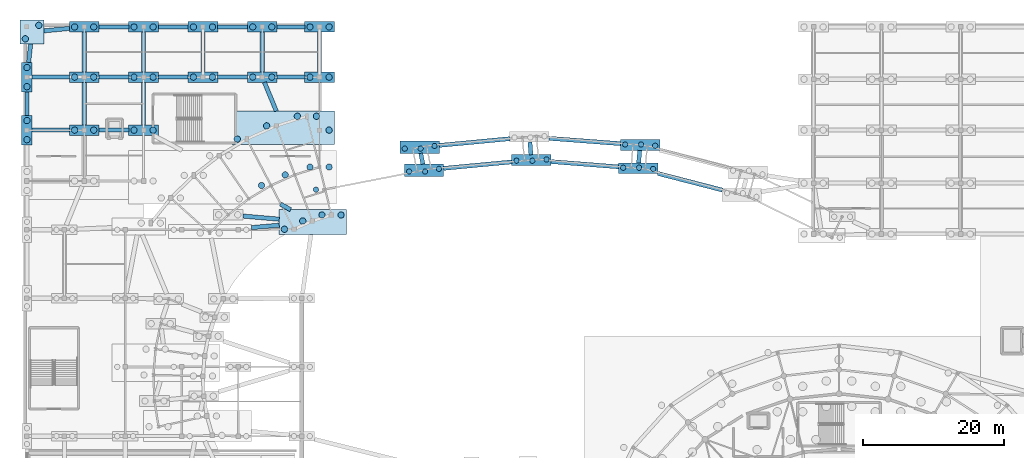
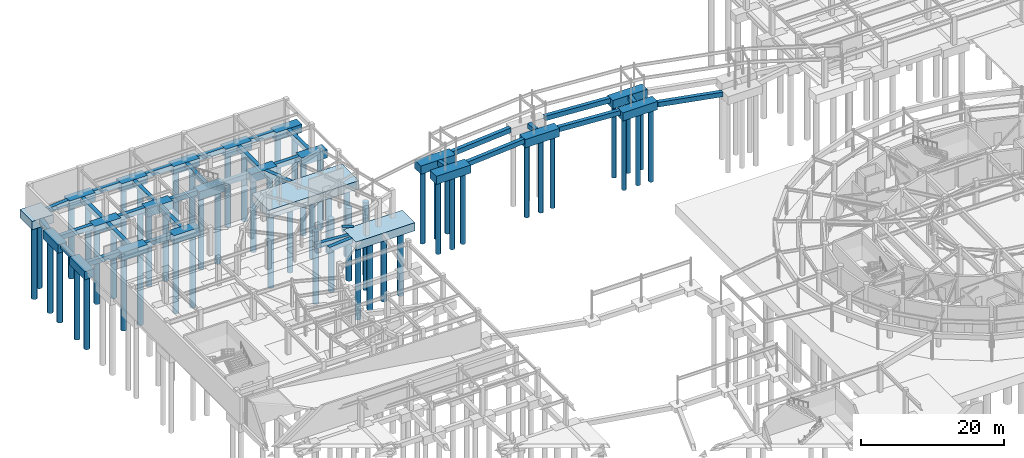
# One storey, part 5 of 68: 59 piles, 55 footings.
"""IFC4 building model written with IfcOpenShell, lengths in metres."""

import ifcopenshell
import ifcopenshell.guid

model = None  # the IFC model being written
_history = None  # IfcOwnerHistory: only IFC2X3 demands one
_inside = {}  # id of a spatial element -> (the spatial element, [elements in it])
_under = {}  # id of a project, library or spatial element -> (it, [spatial elements below it])
_declared = {}  # id of a project -> (the project, [libraries it declares])
_typed = {}  # id of a type object -> (the type object, [elements of that type])
_made_of = {}  # id of a material, layer set ... -> (it, [elements and type objects made of it])


def new_model(schema):
    """Start an empty IFC model of exactly this schema.

    Asked for "IFC4X3", IfcOpenShell would pick the latest addendum, in which some entities
    have other attributes; the version numbers below select the first issue.
    IFC2X3 requires an IfcOwnerHistory on every rooted entity: one is made here for all.
    """
    global model, _history
    if schema == "IFC4X3":
        model = ifcopenshell.file(schema_version=(4, 3, 0, 0))
    else:
        model = ifcopenshell.file(schema=schema)
    _inside.clear()
    _under.clear()
    _declared.clear()
    _typed.clear()
    _made_of.clear()
    _history = None
    if model.schema == "IFC2X3":
        org = make("IfcOrganization", Name="unknown")
        user = make(
            "IfcPersonAndOrganization",
            ThePerson=make("IfcPerson", FamilyName="unknown"),
            TheOrganization=org,
        )
        app = make(
            "IfcApplication",
            ApplicationDeveloper=org,
            Version="unknown",
            ApplicationFullName="unknown",
            ApplicationIdentifier="unknown",
        )
        _history = make(
            "IfcOwnerHistory",
            OwningUser=user,
            OwningApplication=app,
            ChangeAction="ADDED",
            CreationDate=0,
        )
    return model


def make(cls, **values):
    """One entity of the class cls with the attributes given. An attribute that is None is left unset."""
    return model.create_entity(
        cls, **{name: value for name, value in values.items() if value is not None}
    )


def rooted(cls, **values):
    """An entity with a GlobalId (a new one), such as an element, a storey or a relation."""
    return make(cls, GlobalId=ifcopenshell.guid.new(), OwnerHistory=_history, **values)


def si_unit(unit_type, name, prefix=None):
    """IfcSIUnit, for example si_unit("LENGTHUNIT", "METRE", prefix="MILLI")."""
    return make("IfcSIUnit", UnitType=unit_type, Prefix=prefix, Name=name)


def assignment(units):
    """IfcUnitAssignment: the units of a project."""
    return None if units is None else make("IfcUnitAssignment", Units=units)


def point(xyz):
    """IfcCartesianPoint."""
    return None if xyz is None else make("IfcCartesianPoint", Coordinates=xyz)


def direction(xyz):
    """IfcDirection."""
    return None if xyz is None else make("IfcDirection", DirectionRatios=xyz)


def frame(location, z_axis=None, x_axis=None):
    """IfcAxis2Placement3D, a coordinate frame: its origin and axes. An axis left out is left unset."""
    return make(
        "IfcAxis2Placement3D",
        Location=point(location),
        Axis=direction(z_axis),
        RefDirection=direction(x_axis),
    )


def frame_2d(location, x_axis=None):
    """IfcAxis2Placement2D, a coordinate frame in the plane: its origin and x axis."""
    return make(
        "IfcAxis2Placement2D", Location=point(location), RefDirection=direction(x_axis)
    )


def origin():
    """The frame at (0, 0, 0) with its axes left unset."""
    return frame((0.0, 0.0, 0.0))


def origin_2d():
    """The frame at (0, 0) in the plane with its x axis left unset."""
    return frame_2d((0.0, 0.0))


def place(relative_to, where):
    """IfcLocalPlacement: puts the frame where relative to a parent placement (None: the world)."""
    return make(
        "IfcLocalPlacement", PlacementRelTo=relative_to, RelativePlacement=where
    )


def context(
    kind, dimensions, precision=None, world=None, true_north=None, identifier=None
):
    """IfcGeometricRepresentationContext, for example the 3D "Model" context."""
    return make(
        "IfcGeometricRepresentationContext",
        ContextIdentifier=identifier,
        ContextType=kind,
        CoordinateSpaceDimension=dimensions,
        Precision=precision,
        WorldCoordinateSystem=world,
        TrueNorth=true_north,
    )


def subcontext(parent, identifier, kind, view, scale=None):
    """IfcGeometricRepresentationSubContext, for example "Body" below "Model"."""
    return make(
        "IfcGeometricRepresentationSubContext",
        ContextIdentifier=identifier,
        ContextType=kind,
        ParentContext=parent,
        TargetScale=scale,
        TargetView=view,
    )


def project(units=None, contexts=None):
    """IfcProject with its units and contexts."""
    return rooted(
        "IfcProject",
        Name="project",
        RepresentationContexts=contexts,
        UnitsInContext=assignment(units),
    )


def spatial(cls, under=None, at=None, **own):
    """A site, building, storey or space (cls), placed at a placement, below another one or the project."""
    s = rooted(cls, ObjectPlacement=at, **own)
    if under is not None:
        _under.setdefault(under.id(), (under, []))[1].append(s)
    return s


def profile(cls, at=None, kind="AREA", **sizes):
    """A parametric profile (cls). Its sizes go by their IFC names, for example OverallWidth=200.0."""
    return make(cls, ProfileType=kind, Position=at, **sizes)


def rectangle(**sizes):
    """IfcRectangleProfileDef."""
    return profile("IfcRectangleProfileDef", **sizes)


def circle(**sizes):
    """IfcCircleProfileDef."""
    return profile("IfcCircleProfileDef", **sizes)


def extrude(swept, where, along, depth):
    """IfcExtrudedAreaSolid: the profile swept, set in the frame where, extruded along a direction by depth."""
    return make(
        "IfcExtrudedAreaSolid",
        SweptArea=swept,
        Position=where,
        ExtrudedDirection=direction(along),
        Depth=depth,
    )


def shape(context_of_items, identifier, shape_type, items):
    """IfcShapeRepresentation: the items that make up one representation, for example the "Body"."""
    return make(
        "IfcShapeRepresentation",
        ContextOfItems=context_of_items,
        RepresentationIdentifier=identifier,
        RepresentationType=shape_type,
        Items=items,
    )


def material(Name=None, Category=None):
    """IfcMaterial."""
    return make("IfcMaterial", Name=Name, Category=Category)


def layer(
    of_material, thickness, ventilated=None, Name=None, Category=None, Priority=None
):
    """IfcMaterialLayer: one layer of a wall or slab, of a material (None: an air gap)."""
    return make(
        "IfcMaterialLayer",
        Material=of_material,
        LayerThickness=thickness,
        IsVentilated=ventilated,
        Name=Name,
        Category=Category,
        Priority=Priority,
    )


def layer_set(layers, Name=None):
    """IfcMaterialLayerSet."""
    return make("IfcMaterialLayerSet", MaterialLayers=layers, LayerSetName=Name)


def material_profile(
    of_material, cross_section, Name=None, Category=None, Priority=None
):
    """IfcMaterialProfile: a cross section and its material."""
    return make(
        "IfcMaterialProfile",
        Name=Name,
        Material=of_material,
        Profile=cross_section,
        Priority=Priority,
        Category=Category,
    )


def profile_set(profiles, Name=None, composite=None):
    """IfcMaterialProfileSet."""
    return make(
        "IfcMaterialProfileSet",
        Name=Name,
        MaterialProfiles=profiles,
        CompositeProfile=composite,
    )


def made_of(thing, what):
    """Note that an element or type object is made of a material, layer set ...; save() writes the relation."""
    if what is not None:
        _made_of.setdefault(what.id(), (what, []))[1].append(thing)
    return thing


def type_object(cls, material=None, **own):
    """A type object (cls), such as IfcWallType, which elements share."""
    return made_of(rooted(cls, **own), material)


def element(
    cls,
    number,
    at=None,
    inside=None,
    cuts=None,
    type_object=None,
    material=None,
    context=None,
    identifier="Body",
    shape_type=None,
    held_by="IfcProductDefinitionShape",
    body=None,
    shapes=None,
    **own,
):
    """One element of the class cls, such as IfcWall. Its Tag is "e" and its number.

    at: its placement. inside: the storey or other place that contains it. cuts: it is an
    opening in that element (IfcRelVoidsElement). A single representation is given by context,
    identifier, shape_type and body (its items); several are given by shapes. held_by: the class
    of the entity that holds the representations. save() writes the other relations.
    """
    e = rooted(cls, Tag="e%d" % number, ObjectPlacement=at, **own)
    if body is not None:
        shapes = [shape(context, identifier, shape_type, body)]
    if shapes is not None:
        e.Representation = make(held_by, Representations=shapes)
    if inside is not None:
        _inside.setdefault(inside.id(), (inside, []))[1].append(e)
    if cuts is not None:
        rooted(
            "IfcRelVoidsElement", RelatingBuildingElement=cuts, RelatedOpeningElement=e
        )
    if type_object is not None:
        _typed.setdefault(type_object.id(), (type_object, []))[1].append(e)
    return made_of(e, material)


def aggregate(whole, parts):
    """IfcRelAggregates: a whole, such as a stair, and the parts it consists of."""
    return rooted("IfcRelAggregates", RelatingObject=whole, RelatedObjects=parts)


def save(model, path):
    """Write the relations noted so far, then the file.

    IfcRelAggregates (storeys below a building ...), IfcRelContainedInSpatialStructure (elements
    in a storey), IfcRelDefinesByType, IfcRelAssociatesMaterial and IfcRelDeclares: one each for
    every whole, place, type object, material and project.
    """
    for whole, parts in _under.values():
        aggregate(whole, parts)
    for where, things in _inside.values():
        rooted(
            "IfcRelContainedInSpatialStructure",
            RelatedElements=things,
            RelatingStructure=where,
        )
    for kind, things in _typed.values():
        rooted("IfcRelDefinesByType", RelatedObjects=things, RelatingType=kind)
    for what, things in _made_of.values():
        rooted("IfcRelAssociatesMaterial", RelatedObjects=things, RelatingMaterial=what)
    for by, libraries in _declared.values():
        rooted("IfcRelDeclares", RelatingContext=by, RelatedDefinitions=libraries)
    model.write(path)


model = new_model("IFC4")

# Units and contexts
model_context = context("Model", 3, precision=1e-05, world=origin(), true_north=direction((0.0, 1.0)))
body_context = subcontext(model_context, "Body", "Model", "MODEL_VIEW")
ifc_project = project(units=[si_unit("LENGTHUNIT", "METRE"), si_unit("AREAUNIT", "SQUARE_METRE"), si_unit("VOLUMEUNIT", "CUBIC_METRE"), si_unit("PLANEANGLEUNIT", "RADIAN"), si_unit("MASSUNIT", "GRAM", prefix="KILO")], contexts=[model_context])

# Site, building, storey
site_placement = place(None, origin())
site = spatial("IfcSite", under=ifc_project, at=site_placement, CompositionType="ELEMENT")
building_placement = place(site_placement, origin())
building = spatial("IfcBuilding", under=site, at=building_placement, Name="Cinderbank Siding Concert Hall", CompositionType="ELEMENT")
storey_placement = place(building_placement, frame((0.0, 0.0, -4.800048828125)))
storey = spatial("IfcBuildingStorey", under=building, at=storey_placement, Name="B1", CompositionType="ELEMENT", Elevation=-4.800048828125)

# Piles
ifc_material = material(Name="Reinforced concrete AS 3600 N40 (40 MPa)", Category="concrete")
ifc_material_profile_1 = material_profile(ifc_material, circle(Radius=0.375, at=origin_2d()), Name="PILE-750DIA", Category="LoadBearing")
ifc_profile_set_1 = profile_set([ifc_material_profile_1], Name="Reinforced concrete AS 3600 N40 (40 MPa)")
pile_type_1 = type_object("IfcPileType", Name="BP-750 Bored Pile 750mm", PredefinedType="BORED", material=ifc_profile_set_1)
for number, where, z_axis, x_axis, name in (
    (1, (47.989990234375, 94.8798828125, -1.300048828125), (0.0, 0.0, -1.0), (1.0, 0.0, 0.0), "Bored Pile BP-750 #168"),
    (2, (60.552978515625, 100.68408203125, -1.300048828125), (0.0, 0.0, -1.0), (1.0, 0.0, 0.0), "Bored Pile BP-750 #485"),
    (3, (62.802978515625, 100.68408203125, -1.300048828125), (0.0, 0.0, -1.0), (1.0, 0.0, 0.0), "Bored Pile BP-750 #486"),
    (4, (64.76708984375, 101.06591796875, -1.300048828125), (0.0, 0.0, -1.0), (1.0, 0.0, 0.0), "Bored Pile BP-750 #487"),
    (5, (61.18310546875, 97.445068359375, -1.300048828125), (0.0, 0.0, -1.0), (1.0, 0.0, 0.0), "Bored Pile BP-750 #488"),
    (6, (63.43310546875, 97.445068359375, -1.300048828125), (0.0, 0.0, -1.0), (1.0, 0.0, 0.0), "Bored Pile BP-750 #489"),
    (7, (65.39599609375, 97.825927734375, -1.300048828125), (0.0, 0.0, -1.0), (1.0, 0.0, 0.0), "Bored Pile BP-750 #490"),
    (8, (76.364013671875, 98.97412109375, -1.300048828125), (0.0, 0.0, -1.0), (1.0, 0.0, 0.0), "Bored Pile BP-750 #494"),
    (9, (78.614013671875, 98.97412109375, -1.300048828125), (0.0, 0.0, -1.0), (1.0, 0.0, 0.0), "Bored Pile BP-750 #495"),
    (10, (80.60595703125, 99.14794921875, -1.300048828125), (0.0, 0.0, -1.0), (1.0, 0.0, 0.0), "Bored Pile BP-750 #496"),
    (11, (91.7451171875, 101.263916015625, -1.300048828125), (0.0, 0.0, -1.0), (1.0, 0.0, 0.0), "Bored Pile BP-750 #497"),
    (12, (93.9951171875, 101.263916015625, -1.300048828125), (0.0, 0.0, -1.0), (1.0, 0.0, 0.0), "Bored Pile BP-750 #498"),
    (13, (95.988037109375, 101.090087890625, -1.300048828125), (0.0, 0.0, -1.0), (1.0, 0.0, 0.0), "Bored Pile BP-750 #499"),
    (14, (91.4580078125, 97.97705078125, -1.300048828125), (0.0, 0.0, -1.0), (1.0, 0.0, 0.0), "Bored Pile BP-750 #500"),
    (15, (93.7080078125, 97.97705078125, -1.300048828125), (0.0, 0.0, -1.0), (1.0, 0.0, 0.0), "Bored Pile BP-750 #501"),
    (16, (95.699951171875, 97.802001953125, -1.300048828125), (0.0, 0.0, -1.0), (1.0, 0.0, 0.0), "Bored Pile BP-750 #502"),
):
    element("IfcPile", number, at=place(storey_placement, frame(where, z_axis=z_axis, x_axis=x_axis)), inside=storey, type_object=pile_type_1, Name=name, PredefinedType="BORED", context=body_context, shape_type="SweptSolid", body=[
        extrude(circle(Radius=0.375, at=origin_2d()), origin(), (0.0, 0.0, 1.0), 12.39990234375),
    ])
ifc_material_profile_2 = material_profile(ifc_material, circle(Radius=0.449951171875, at=origin_2d()), Name="PILE-900DIA", Category="LoadBearing")
ifc_profile_set_2 = profile_set([ifc_material_profile_2], Name="Reinforced concrete AS 3600 N40 (40 MPa)")
pile_type_2 = type_object("IfcPileType", Name="BP-900 Bored Pile 900mm", PredefinedType="BORED", material=ifc_profile_set_2)
for number, where, z_axis, x_axis, name in (
    (17, (48.843994140625, 91.287109375, -1.300048828125), (0.0, 0.0, -1.0), (1.0, 0.0, 0.0), "Bored Pile BP-900 #160"),
    (18, (51.5439453125, 91.287109375, -1.300048828125), (0.0, 0.0, -1.0), (1.0, 0.0, 0.0), "Bored Pile BP-900 #161"),
    (19, (46.126953125, 90.43603515625, -1.300048828125), (0.0, 0.0, -1.0), (1.0, 0.0, 0.0), "Bored Pile BP-900 #162"),
    (20, (43.531005859375, 89.26904296875, -1.300048828125), (0.0, 0.0, -1.0), (1.0, 0.0, 0.0), "Bored Pile BP-900 #163"),
    (21, (47.14990234375, 98.0791015625, -1.300048828125), (0.0, 0.0, -1.0), (1.0, 0.0, 0.0), "Bored Pile BP-900 #164"),
    (22, (49.85009765625, 98.0791015625, -1.300048828125), (0.0, 0.0, -1.0), (1.0, 0.0, 0.0), "Bored Pile BP-900 #165"),
    (23, (43.64208984375, 96.97998046875, -1.300048828125), (0.0, 0.0, -1.0), (1.0, 0.0, 0.0), "Bored Pile BP-900 #166"),
    (24, (40.2880859375, 95.471923828125, -1.300048828125), (0.0, 0.0, -1.0), (1.0, 0.0, 0.0), "Bored Pile BP-900 #167"),
    (25, (45.360107421875, 105.259033203125, -1.300048828125), (0.0, 0.0, -1.0), (1.0, 0.0, 0.0), "Bored Pile BP-900 #178"),
    (26, (48.06005859375, 105.259033203125, -1.300048828125), (0.0, 0.0, -1.0), (1.0, 0.0, 0.0), "Bored Pile BP-900 #179"),
    (27, (41.013916015625, 103.89697265625, -1.300048828125), (0.0, 0.0, -1.0), (1.0, 0.0, 0.0), "Bored Pile BP-900 #180"),
    (28, (49.85009765625, 103.300048828125, -1.300048828125), (0.0, 0.0, -1.0), (1.0, 0.0, 0.0), "Bored Pile BP-900 #181"),
    (29, (36.85888671875, 102.030029296875, -1.300048828125), (0.0, 0.0, -1.0), (1.0, 0.0, 0.0), "Bored Pile BP-900 #182"),
    (30, (7.10009765625, 101.949951171875, -1.300048828125), (0.0, 0.0, -1.0), (1.0, 0.0, 0.0), "Bored Pile BP-900 #345"),
    (31, (7.10009765625, 104.64990234375, -1.300048828125), (0.0, 0.0, -1.0), (1.0, 0.0, 0.0), "Bored Pile BP-900 #346"),
    (32, (7.10009765625, 109.449951171875, -1.300048828125), (0.0, 0.0, -1.0), (1.0, 0.0, 0.0), "Bored Pile BP-900 #347"),
    (33, (7.10009765625, 112.14990234375, -1.300048828125), (0.0, 0.0, -1.0), (1.0, 0.0, 0.0), "Bored Pile BP-900 #348"),
    (34, (6.8701171875, 116.219970703125, -1.300048828125), (0.0, 0.0, -1.0), (1.0, 0.0, 0.0), "Bored Pile BP-900 #349"),
    (35, (8.780029296875, 118.1298828125, -1.300048828125), (0.0, 0.0, -1.0), (1.0, 0.0, 0.0), "Bored Pile BP-900 #350"),
    (36, (13.85009765625, 103.300048828125, -1.300048828125), (0.0, 0.0, -1.0), (1.0, 0.0, 0.0), "Bored Pile BP-900 #353"),
    (37, (16.550048828125, 103.300048828125, -1.300048828125), (0.0, 0.0, -1.0), (1.0, 0.0, 0.0), "Bored Pile BP-900 #354"),
    (38, (13.85009765625, 110.800048828125, -1.300048828125), (0.0, 0.0, -1.0), (1.0, 0.0, 0.0), "Bored Pile BP-900 #355"),
    (39, (16.550048828125, 110.800048828125, -1.300048828125), (0.0, 0.0, -1.0), (1.0, 0.0, 0.0), "Bored Pile BP-900 #356"),
    (40, (13.85009765625, 117.89990234375, -1.300048828125), (0.0, 0.0, -1.0), (1.0, 0.0, 0.0), "Bored Pile BP-900 #357"),
    (41, (16.550048828125, 117.89990234375, -1.300048828125), (0.0, 0.0, -1.0), (1.0, 0.0, 0.0), "Bored Pile BP-900 #358"),
    (42, (22.25, 103.300048828125, -1.300048828125), (0.0, 0.0, -1.0), (1.0, 0.0, 0.0), "Bored Pile BP-900 #359"),
    (43, (24.949951171875, 103.300048828125, -1.300048828125), (0.0, 0.0, -1.0), (1.0, 0.0, 0.0), "Bored Pile BP-900 #360"),
    (44, (22.25, 110.800048828125, -1.300048828125), (0.0, 0.0, -1.0), (1.0, 0.0, 0.0), "Bored Pile BP-900 #361"),
    (45, (24.949951171875, 110.800048828125, -1.300048828125), (0.0, 0.0, -1.0), (1.0, 0.0, 0.0), "Bored Pile BP-900 #362"),
    (46, (22.25, 117.89990234375, -1.300048828125), (0.0, 0.0, -1.0), (1.0, 0.0, 0.0), "Bored Pile BP-900 #363"),
    (47, (24.949951171875, 117.89990234375, -1.300048828125), (0.0, 0.0, -1.0), (1.0, 0.0, 0.0), "Bored Pile BP-900 #364"),
    (48, (30.64990234375, 110.800048828125, -1.300048828125), (0.0, 0.0, -1.0), (1.0, 0.0, 0.0), "Bored Pile BP-900 #365"),
    (49, (33.35009765625, 110.800048828125, -1.300048828125), (0.0, 0.0, -1.0), (1.0, 0.0, 0.0), "Bored Pile BP-900 #366"),
    (50, (30.64990234375, 117.89990234375, -1.300048828125), (0.0, 0.0, -1.0), (1.0, 0.0, 0.0), "Bored Pile BP-900 #367"),
    (51, (33.35009765625, 117.89990234375, -1.300048828125), (0.0, 0.0, -1.0), (1.0, 0.0, 0.0), "Bored Pile BP-900 #368"),
    (52, (39.050048828125, 110.800048828125, -1.300048828125), (0.0, 0.0, -1.0), (1.0, 0.0, 0.0), "Bored Pile BP-900 #369"),
    (53, (41.75, 110.800048828125, -1.300048828125), (0.0, 0.0, -1.0), (1.0, 0.0, 0.0), "Bored Pile BP-900 #370"),
    (54, (39.050048828125, 117.89990234375, -1.300048828125), (0.0, 0.0, -1.0), (1.0, 0.0, 0.0), "Bored Pile BP-900 #371"),
    (55, (41.75, 117.89990234375, -1.300048828125), (0.0, 0.0, -1.0), (1.0, 0.0, 0.0), "Bored Pile BP-900 #372"),
    (56, (47.14990234375, 110.800048828125, -1.300048828125), (0.0, 0.0, -1.0), (1.0, 0.0, 0.0), "Bored Pile BP-900 #373"),
    (57, (49.85009765625, 110.800048828125, -1.300048828125), (0.0, 0.0, -1.0), (1.0, 0.0, 0.0), "Bored Pile BP-900 #374"),
    (58, (47.14990234375, 117.89990234375, -1.300048828125), (0.0, 0.0, -1.0), (1.0, 0.0, 0.0), "Bored Pile BP-900 #375"),
    (59, (49.85009765625, 117.89990234375, -1.300048828125), (0.0, 0.0, -1.0), (1.0, 0.0, 0.0), "Bored Pile BP-900 #376"),
):
    element("IfcPile", number, at=place(storey_placement, frame(where, z_axis=z_axis, x_axis=x_axis)), inside=storey, type_object=pile_type_2, Name=name, PredefinedType="BORED", context=body_context, shape_type="SweptSolid", body=[
        extrude(circle(Radius=0.449951171875, at=origin_2d()), origin(), (0.0, 0.0, 1.0), 12.39990234375),
    ])

# Footings
ifc_material_profile_3 = material_profile(ifc_material, rectangle(XDim=0.60009765625, YDim=0.800048828125, at=origin_2d()), Name="RC-FB-600x800", Category="LoadBearing")
ifc_profile_set_3 = profile_set([ifc_material_profile_3], Name="Reinforced concrete AS 3600 N40 (40 MPa)")
footing_type_1 = type_object("IfcFootingType", Name="FB-01 Tie Beam 600x800", PredefinedType="FOOTING_BEAM", material=ifc_profile_set_3)
footing_1_placement = place(storey_placement, frame((42.975341796875, 92.836181640625, -0.39990234375), z_axis=(0.872286293359, -0.488995523925, 0.0), x_axis=(0.488995523925, 0.872286293359, 0.0)))
element("IfcFooting", 60, at=footing_1_placement, inside=storey, type_object=footing_type_1, Name="Foundation Tie Beam #1", PredefinedType="FOOTING_BEAM", context=body_context, shape_type="SweptSolid", body=[
    extrude(rectangle(XDim=0.60009765625, YDim=0.800048828125, at=origin_2d()), origin(), (0.0, 0.0, 1.0), 1.649169921875),
])
footing_2_placement = place(storey_placement, frame((42.3837890625, 105.9951171875, -0.39990234375), z_axis=(-0.381628315505, 0.924315870688, 0.0), x_axis=(-0.924315870688, -0.381628315505, 0.0)))
element("IfcFooting", 61, at=footing_2_placement, inside=storey, type_object=footing_type_1, Name="Foundation Tie Beam #2", PredefinedType="FOOTING_BEAM", context=body_context, shape_type="SweptSolid", body=[
    extrude(rectangle(XDim=0.60009765625, YDim=0.800048828125, at=origin_2d()), origin(), (0.0, 0.0, 1.0), 4.402099609375),
])
footing_3_placement = place(storey_placement, frame((37.666015625, 91.142333984375, -0.39990234375), z_axis=(0.996187745667, -0.087235172855, 0.0), x_axis=(0.087235172855, 0.996187745667, 0.0)))
element("IfcFooting", 62, at=footing_3_placement, inside=storey, type_object=footing_type_1, Name="Foundation Tie Beam #3", PredefinedType="FOOTING_BEAM", context=body_context, shape_type="SweptSolid", body=[
    extrude(rectangle(XDim=0.60009765625, YDim=0.800048828125, at=origin_2d()), origin(), (0.0, 0.0, 1.0), 5.1494140625),
])
footing_4_placement = place(storey_placement, frame((38.860107421875, 89.498046875, -0.39990234375), z_axis=(0.995984856757, 0.089521869452, 0.0), x_axis=(-0.089521869452, 0.995984856757, 0.0)))
element("IfcFooting", 63, at=footing_4_placement, inside=storey, type_object=footing_type_1, Name="Foundation Tie Beam #4", PredefinedType="FOOTING_BEAM", context=body_context, shape_type="SweptSolid", body=[
    extrude(rectangle(XDim=0.60009765625, YDim=0.800048828125, at=origin_2d()), origin(), (0.0, 0.0, 1.0), 3.95166015625),
])
footing_5_placement = place(storey_placement, frame((7.8349609375, 103.300048828125, -0.39990234375), z_axis=(1.0, 0.0, 0.0), x_axis=(0.0, 1.0, 0.0)))
element("IfcFooting", 64, at=footing_5_placement, inside=storey, type_object=footing_type_1, Name="Foundation Tie Beam #129", PredefinedType="FOOTING_BEAM", context=body_context, shape_type="SweptSolid", body=[
    extrude(rectangle(XDim=0.60009765625, YDim=0.800048828125, at=origin_2d()), origin(), (0.0, 0.0, 1.0), 5.280029296875),
])
footing_6_placement = place(storey_placement, frame((7.10009765625, 105.385009765625, -0.39990234375), z_axis=(0.0, 1.0, 0.0), x_axis=(-1.0, 0.0, 0.0)))
element("IfcFooting", 65, at=footing_6_placement, inside=storey, type_object=footing_type_1, Name="Foundation Tie Beam #130", PredefinedType="FOOTING_BEAM", context=body_context, shape_type="SweptSolid", body=[
    extrude(rectangle(XDim=0.60009765625, YDim=0.800048828125, at=origin_2d()), origin(), (0.0, 0.0, 1.0), 3.330078125),
])
footing_7_placement = place(storey_placement, frame((7.8349609375, 110.800048828125, -0.39990234375), z_axis=(1.0, 0.0, 0.0), x_axis=(0.0, 1.0, 0.0)))
element("IfcFooting", 66, at=footing_7_placement, inside=storey, type_object=footing_type_1, Name="Foundation Tie Beam #131", PredefinedType="FOOTING_BEAM", context=body_context, shape_type="SweptSolid", body=[
    extrude(rectangle(XDim=0.60009765625, YDim=0.800048828125, at=origin_2d()), origin(), (0.0, 0.0, 1.0), 5.280029296875),
])
footing_8_placement = place(storey_placement, frame((7.337158203125, 112.885009765625, -0.39990234375), z_axis=(0.112991334748, 0.993595973357, 0.0), x_axis=(-0.993595973357, 0.112991334748, 0.0)))
element("IfcFooting", 67, at=footing_8_placement, inside=storey, type_object=footing_type_1, Name="Foundation Tie Beam #132", PredefinedType="FOOTING_BEAM", context=body_context, shape_type="SweptSolid", body=[
    extrude(rectangle(XDim=0.60009765625, YDim=0.800048828125, at=origin_2d()), origin(), (0.0, 0.0, 1.0), 2.61669921875),
])
footing_9_placement = place(storey_placement, frame((9.51513671875, 117.341064453125, -0.39990234375), z_axis=(0.995199566418, 0.097866352751, 0.0), x_axis=(-0.097866352751, 0.995199566418, 0.0)))
element("IfcFooting", 68, at=footing_9_placement, inside=storey, type_object=footing_type_1, Name="Foundation Tie Beam #133", PredefinedType="FOOTING_BEAM", context=body_context, shape_type="SweptSolid", body=[
    extrude(rectangle(XDim=0.60009765625, YDim=0.800048828125, at=origin_2d()), origin(), (0.0, 0.0, 1.0), 3.6171875),
])
footing_10_placement = place(storey_placement, frame((17.284912109375, 103.300048828125, -0.39990234375), z_axis=(1.0, 0.0, 0.0), x_axis=(0.0, 1.0, 0.0)))
element("IfcFooting", 69, at=footing_10_placement, inside=storey, type_object=footing_type_1, Name="Foundation Tie Beam #135", PredefinedType="FOOTING_BEAM", context=body_context, shape_type="SweptSolid", body=[
    extrude(rectangle(XDim=0.60009765625, YDim=0.800048828125, at=origin_2d()), origin(), (0.0, 0.0, 1.0), 4.22998046875),
])
footing_11_placement = place(storey_placement, frame((15.199951171875, 104.034912109375, -0.39990234375), z_axis=(0.0, 1.0, 0.0), x_axis=(-1.0, 0.0, 0.0)))
element("IfcFooting", 70, at=footing_11_placement, inside=storey, type_object=footing_type_1, Name="Foundation Tie Beam #136", PredefinedType="FOOTING_BEAM", context=body_context, shape_type="SweptSolid", body=[
    extrude(rectangle(XDim=0.60009765625, YDim=0.800048828125, at=origin_2d()), origin(), (0.0, 0.0, 1.0), 6.030029296875),
])
footing_12_placement = place(storey_placement, frame((17.284912109375, 110.800048828125, -0.39990234375), z_axis=(1.0, 0.0, 0.0), x_axis=(0.0, 1.0, 0.0)))
element("IfcFooting", 71, at=footing_12_placement, inside=storey, type_object=footing_type_1, Name="Foundation Tie Beam #137", PredefinedType="FOOTING_BEAM", context=body_context, shape_type="SweptSolid", body=[
    extrude(rectangle(XDim=0.60009765625, YDim=0.800048828125, at=origin_2d()), origin(), (0.0, 0.0, 1.0), 4.22998046875),
])
footing_13_placement = place(storey_placement, frame((15.199951171875, 111.534912109375, -0.39990234375), z_axis=(0.0, 1.0, 0.0), x_axis=(-1.0, 0.0, 0.0)))
element("IfcFooting", 72, at=footing_13_placement, inside=storey, type_object=footing_type_1, Name="Foundation Tie Beam #138", PredefinedType="FOOTING_BEAM", context=body_context, shape_type="SweptSolid", body=[
    extrude(rectangle(XDim=0.60009765625, YDim=0.800048828125, at=origin_2d()), origin(), (0.0, 0.0, 1.0), 5.630126953125),
])
footing_14_placement = place(storey_placement, frame((17.284912109375, 117.89990234375, -0.39990234375), z_axis=(1.0, 0.0, 0.0), x_axis=(0.0, 1.0, 0.0)))
element("IfcFooting", 73, at=footing_14_placement, inside=storey, type_object=footing_type_1, Name="Foundation Tie Beam #139", PredefinedType="FOOTING_BEAM", context=body_context, shape_type="SweptSolid", body=[
    extrude(rectangle(XDim=0.60009765625, YDim=0.800048828125, at=origin_2d()), origin(), (0.0, 0.0, 1.0), 4.22998046875),
])
footing_15_placement = place(storey_placement, frame((23.60009765625, 104.034912109375, -0.39990234375), z_axis=(0.0, 1.0, 0.0), x_axis=(-1.0, 0.0, 0.0)))
element("IfcFooting", 74, at=footing_15_placement, inside=storey, type_object=footing_type_1, Name="Foundation Tie Beam #141", PredefinedType="FOOTING_BEAM", context=body_context, shape_type="SweptSolid", body=[
    extrude(rectangle(XDim=0.60009765625, YDim=0.800048828125, at=origin_2d()), origin(), (0.0, 0.0, 1.0), 6.030029296875),
])
footing_16_placement = place(storey_placement, frame((25.68505859375, 110.800048828125, -0.39990234375), z_axis=(1.0, 0.0, 0.0), x_axis=(0.0, 1.0, 0.0)))
element("IfcFooting", 75, at=footing_16_placement, inside=storey, type_object=footing_type_1, Name="Foundation Tie Beam #142", PredefinedType="FOOTING_BEAM", context=body_context, shape_type="SweptSolid", body=[
    extrude(rectangle(XDim=0.60009765625, YDim=0.800048828125, at=origin_2d()), origin(), (0.0, 0.0, 1.0), 4.22998046875),
])
footing_17_placement = place(storey_placement, frame((23.60009765625, 111.534912109375, -0.39990234375), z_axis=(0.0, 1.0, 0.0), x_axis=(-1.0, 0.0, 0.0)))
element("IfcFooting", 76, at=footing_17_placement, inside=storey, type_object=footing_type_1, Name="Foundation Tie Beam #143", PredefinedType="FOOTING_BEAM", context=body_context, shape_type="SweptSolid", body=[
    extrude(rectangle(XDim=0.60009765625, YDim=0.800048828125, at=origin_2d()), origin(), (0.0, 0.0, 1.0), 5.630126953125),
])
for number, where, z_axis, x_axis, name in (
    (77, (25.68505859375, 117.89990234375, -0.39990234375), (1.0, 0.0, 0.0), (0.0, 1.0, 0.0), "Foundation Tie Beam #144"),
    (78, (34.0849609375, 110.800048828125, -0.39990234375), (1.0, 0.0, 0.0), (0.0, 1.0, 0.0), "Foundation Tie Beam #145"),
):
    element("IfcFooting", number, at=place(storey_placement, frame(where, z_axis=z_axis, x_axis=x_axis)), inside=storey, type_object=footing_type_1, Name=name, PredefinedType="FOOTING_BEAM", context=body_context, shape_type="SweptSolid", body=[
        extrude(rectangle(XDim=0.60009765625, YDim=0.800048828125, at=origin_2d()), origin(), (0.0, 0.0, 1.0), 4.22998046875),
    ])
footing_18_placement = place(storey_placement, frame((32.0, 111.534912109375, -0.39990234375), z_axis=(0.0, 1.0, 0.0), x_axis=(-1.0, 0.0, 0.0)))
element("IfcFooting", 79, at=footing_18_placement, inside=storey, type_object=footing_type_1, Name="Foundation Tie Beam #146", PredefinedType="FOOTING_BEAM", context=body_context, shape_type="SweptSolid", body=[
    extrude(rectangle(XDim=0.60009765625, YDim=0.800048828125, at=origin_2d()), origin(), (0.0, 0.0, 1.0), 5.630126953125),
])
footing_19_placement = place(storey_placement, frame((34.0849609375, 117.89990234375, -0.39990234375), z_axis=(1.0, 0.0, 0.0), x_axis=(0.0, 1.0, 0.0)))
element("IfcFooting", 80, at=footing_19_placement, inside=storey, type_object=footing_type_1, Name="Foundation Tie Beam #147", PredefinedType="FOOTING_BEAM", context=body_context, shape_type="SweptSolid", body=[
    extrude(rectangle(XDim=0.60009765625, YDim=0.800048828125, at=origin_2d()), origin(), (0.0, 0.0, 1.0), 4.22998046875),
])
footing_20_placement = place(storey_placement, frame((42.485107421875, 110.800048828125, -0.39990234375), z_axis=(1.0, 0.0, 0.0), x_axis=(0.0, 1.0, 0.0)))
element("IfcFooting", 81, at=footing_20_placement, inside=storey, type_object=footing_type_1, Name="Foundation Tie Beam #148", PredefinedType="FOOTING_BEAM", context=body_context, shape_type="SweptSolid", body=[
    extrude(rectangle(XDim=0.60009765625, YDim=0.800048828125, at=origin_2d()), origin(), (0.0, 0.0, 1.0), 3.929931640625),
])
footing_21_placement = place(storey_placement, frame((40.39990234375, 111.534912109375, -0.39990234375), z_axis=(0.0, 1.0, 0.0), x_axis=(-1.0, 0.0, 0.0)))
element("IfcFooting", 82, at=footing_21_placement, inside=storey, type_object=footing_type_1, Name="Foundation Tie Beam #149", PredefinedType="FOOTING_BEAM", context=body_context, shape_type="SweptSolid", body=[
    extrude(rectangle(XDim=0.60009765625, YDim=0.800048828125, at=origin_2d()), origin(), (0.0, 0.0, 1.0), 5.630126953125),
])
footing_22_placement = place(storey_placement, frame((42.485107421875, 117.89990234375, -0.39990234375), z_axis=(1.0, 0.0, 0.0), x_axis=(0.0, 1.0, 0.0)))
element("IfcFooting", 83, at=footing_22_placement, inside=storey, type_object=footing_type_1, Name="Foundation Tie Beam #150", PredefinedType="FOOTING_BEAM", context=body_context, shape_type="SweptSolid", body=[
    extrude(rectangle(XDim=0.60009765625, YDim=0.800048828125, at=origin_2d()), origin(), (0.0, 0.0, 1.0), 3.929931640625),
])
footing_23_placement = place(storey_placement, frame((48.5, 111.534912109375, -0.39990234375), z_axis=(0.0, 1.0, 0.0), x_axis=(-1.0, 0.0, 0.0)))
element("IfcFooting", 84, at=footing_23_placement, inside=storey, type_object=footing_type_1, Name="Foundation Tie Beam #151", PredefinedType="FOOTING_BEAM", context=body_context, shape_type="SweptSolid", body=[
    extrude(rectangle(XDim=0.60009765625, YDim=0.800048828125, at=origin_2d()), origin(), (0.0, 0.0, 1.0), 5.630126953125),
])
footing_24_placement = place(storey_placement, frame((65.427001953125, 101.137451171875, -0.39990234375), z_axis=(0.99553366614, 0.094407200895, 0.0), x_axis=(-0.094407200895, 0.99553366614, 0.0)))
element("IfcFooting", 85, at=footing_24_placement, inside=storey, type_object=footing_type_1, Name="Foundation Tie Beam #231", PredefinedType="FOOTING_BEAM", context=body_context, shape_type="SweptSolid", body=[
    extrude(rectangle(XDim=0.60009765625, YDim=0.800048828125, at=origin_2d()), origin(), (0.0, 0.0, 1.0), 10.033935546875),
])
footing_25_placement = place(storey_placement, frame((66.05615234375, 97.89501953125, -0.39990234375), z_axis=(0.995628883002, 0.093397683764, 0.0), x_axis=(-0.093397683764, 0.995628883002, 0.0)))
element("IfcFooting", 86, at=footing_25_placement, inside=storey, type_object=footing_type_1, Name="Foundation Tie Beam #232", PredefinedType="FOOTING_BEAM", context=body_context, shape_type="SweptSolid", body=[
    extrude(rectangle(XDim=0.60009765625, YDim=0.800048828125, at=origin_2d()), origin(), (0.0, 0.0, 1.0), 9.68994140625),
])
footing_26_placement = place(storey_placement, frame((63.124267578125, 98.486328125, -0.39990234375), z_axis=(-0.190807071658, 0.981627557379, 0.0), x_axis=(-0.981627557379, -0.190807071658, 0.0)))
element("IfcFooting", 87, at=footing_26_placement, inside=storey, type_object=footing_type_1, Name="Foundation Tie Beam #233", PredefinedType="FOOTING_BEAM", context=body_context, shape_type="SweptSolid", body=[
    extrude(rectangle(XDim=0.60009765625, YDim=0.800048828125, at=origin_2d()), origin(), (0.0, 0.0, 1.0), 1.566162109375),
])
footing_27_placement = place(storey_placement, frame((80.97900390625, 102.140380859375, -0.39990234375), z_axis=(0.997218233153, -0.074537208614, 0.0), x_axis=(0.074537208614, 0.997218233153, 0.0)))
element("IfcFooting", 88, at=footing_27_placement, inside=storey, type_object=footing_type_1, Name="Foundation Tie Beam #234", PredefinedType="FOOTING_BEAM", context=body_context, shape_type="SweptSolid", body=[
    extrude(rectangle(XDim=0.60009765625, YDim=0.800048828125, at=origin_2d()), origin(), (0.0, 0.0, 1.0), 10.134033203125),
])
footing_28_placement = place(storey_placement, frame((81.26611328125, 98.84521484375, -0.39990234375), z_axis=(0.997000161541, -0.07739946955, 0.0), x_axis=(0.07739946955, 0.997000161541, 0.0)))
element("IfcFooting", 89, at=footing_28_placement, inside=storey, type_object=footing_type_1, Name="Foundation Tie Beam #235", PredefinedType="FOOTING_BEAM", context=body_context, shape_type="SweptSolid", body=[
    extrude(rectangle(XDim=0.60009765625, YDim=0.800048828125, at=origin_2d()), origin(), (0.0, 0.0, 1.0), 9.560546875),
])
footing_29_placement = place(storey_placement, frame((78.419677734375, 99.80810546875, -0.39990234375), z_axis=(-0.087097949233, 0.99619975268, 0.0), x_axis=(-0.99619975268, -0.087097949233, 0.0)))
element("IfcFooting", 90, at=footing_29_placement, inside=storey, type_object=footing_type_1, Name="Foundation Tie Beam #236", PredefinedType="FOOTING_BEAM", context=body_context, shape_type="SweptSolid", body=[
    extrude(rectangle(XDim=0.60009765625, YDim=0.800048828125, at=origin_2d()), origin(), (0.0, 0.0, 1.0), 1.799560546875),
])
footing_30_placement = place(storey_placement, frame((96.360595703125, 97.17333984375, -0.39990234375), z_axis=(0.968424531446, -0.249306892992, 0.0), x_axis=(0.249306892992, 0.968424531446, 0.0)))
element("IfcFooting", 91, at=footing_30_placement, inside=storey, type_object=footing_type_1, Name="Foundation Tie Beam #238", PredefinedType="FOOTING_BEAM", context=body_context, shape_type="SweptSolid", body=[
    extrude(rectangle(XDim=0.60009765625, YDim=0.800048828125, at=origin_2d()), origin(), (0.0, 0.0, 1.0), 9.425537109375),
])
footing_31_placement = place(storey_placement, frame((93.644287109375, 98.63720703125, -0.39990234375), z_axis=(0.087232584259, 0.996187972344, 0.0), x_axis=(-0.996187972344, 0.087232584259, 0.0)))
element("IfcFooting", 92, at=footing_31_placement, inside=storey, type_object=footing_type_1, Name="Foundation Tie Beam #239", PredefinedType="FOOTING_BEAM", context=body_context, shape_type="SweptSolid", body=[
    extrude(rectangle(XDim=0.60009765625, YDim=0.800048828125, at=origin_2d()), origin(), (0.0, 0.0, 1.0), 1.799560546875),
])
ifc_layer_1 = layer(ifc_material, 1.39990234375)
ifc_layer_set_1 = layer_set([ifc_layer_1], Name="Reinforced concrete AS 3600 N40 (40 MPa)")
footing_type_2 = type_object("IfcFootingType", Name="PC-02 Pile Cap 9513x3518x1400", PredefinedType="PILE_CAP", material=ifc_layer_set_1)
footing_32_placement = place(storey_placement, frame((47.53759765625, 90.278076171875, -1.39990234375), z_axis=(0.0, 0.0, 1.0), x_axis=(1.0, 0.0, 0.0)))
element("IfcFooting", 93, at=footing_32_placement, inside=storey, type_object=footing_type_2, Name="Pile Cap PC-02 #2", PredefinedType="PILE_CAP", context=body_context, shape_type="SweptSolid", body=[
    extrude(rectangle(XDim=9.512939453125, YDim=3.51806640625, at=origin_2d()), origin(), (0.0, 0.0, 1.0), 1.39990234375),
])
ifc_layer_2 = layer(ifc_material, 1.39990234375)
ifc_layer_set_2 = layer_set([ifc_layer_2], Name="Reinforced concrete AS 3600 N40 (40 MPa)")
footing_type_3 = type_object("IfcFootingType", Name="PC-04 Pile Cap 14491x4729x1400", PredefinedType="PILE_CAP", material=ifc_layer_set_2)
footing_33_placement = place(storey_placement, frame((43.3544921875, 103.64453125, -1.39990234375), z_axis=(0.0, 0.0, 1.0), x_axis=(1.0, 0.0, 0.0)))
element("IfcFooting", 94, at=footing_33_placement, inside=storey, type_object=footing_type_3, Name="Pile Cap PC-04 #4", PredefinedType="PILE_CAP", context=body_context, shape_type="SweptSolid", body=[
    extrude(rectangle(XDim=14.490966796875, YDim=4.72900390625, at=origin_2d()), origin(), (0.0, 0.0, 1.0), 1.39990234375),
])
ifc_layer_3 = layer(ifc_material, 1.39990234375)
ifc_layer_set_3 = layer_set([ifc_layer_3], Name="Reinforced concrete AS 3600 N40 (40 MPa)")
footing_type_4 = type_object("IfcFootingType", Name="PC-05 Pile Cap 4200x1500x1400", PredefinedType="PILE_CAP", material=ifc_layer_set_3)
for number, where, z_axis, x_axis, name in (
    (95, (15.199951171875, 103.300048828125, -1.39990234375), (0.0, 0.0, 1.0), (1.0, 0.0, 0.0), "Pile Cap PC-05 #82"),
    (96, (15.199951171875, 110.800048828125, -1.39990234375), (0.0, 0.0, 1.0), (1.0, 0.0, 0.0), "Pile Cap PC-05 #83"),
    (97, (15.199951171875, 117.89990234375, -1.39990234375), (0.0, 0.0, 1.0), (1.0, 0.0, 0.0), "Pile Cap PC-05 #84"),
    (98, (23.60009765625, 103.300048828125, -1.39990234375), (0.0, 0.0, 1.0), (1.0, 0.0, 0.0), "Pile Cap PC-05 #85"),
    (99, (23.60009765625, 110.800048828125, -1.39990234375), (0.0, 0.0, 1.0), (1.0, 0.0, 0.0), "Pile Cap PC-05 #86"),
    (100, (23.60009765625, 117.89990234375, -1.39990234375), (0.0, 0.0, 1.0), (1.0, 0.0, 0.0), "Pile Cap PC-05 #87"),
    (101, (32.0, 110.800048828125, -1.39990234375), (0.0, 0.0, 1.0), (1.0, 0.0, 0.0), "Pile Cap PC-05 #88"),
    (102, (32.0, 117.89990234375, -1.39990234375), (0.0, 0.0, 1.0), (1.0, 0.0, 0.0), "Pile Cap PC-05 #89"),
    (103, (40.39990234375, 110.800048828125, -1.39990234375), (0.0, 0.0, 1.0), (1.0, 0.0, 0.0), "Pile Cap PC-05 #90"),
    (104, (40.39990234375, 117.89990234375, -1.39990234375), (0.0, 0.0, 1.0), (1.0, 0.0, 0.0), "Pile Cap PC-05 #91"),
    (105, (48.5, 110.800048828125, -1.39990234375), (0.0, 0.0, 1.0), (1.0, 0.0, 0.0), "Pile Cap PC-05 #92"),
    (106, (48.5, 117.89990234375, -1.39990234375), (0.0, 0.0, 1.0), (1.0, 0.0, 0.0), "Pile Cap PC-05 #93"),
):
    element("IfcFooting", number, at=place(storey_placement, frame(where, z_axis=z_axis, x_axis=x_axis)), inside=storey, type_object=footing_type_4, Name=name, PredefinedType="PILE_CAP", context=body_context, shape_type="SweptSolid", body=[
        extrude(rectangle(XDim=4.199951171875, YDim=1.5, at=origin_2d()), origin(), (0.0, 0.0, 1.0), 1.39990234375),
    ])
ifc_layer_4 = layer(ifc_material, 1.39990234375)
ifc_layer_set_4 = layer_set([ifc_layer_4], Name="Reinforced concrete AS 3600 N40 (40 MPa)")
footing_type_5 = type_object("IfcFootingType", Name="PC-10 Pile Cap 3410x3410x1400", PredefinedType="PILE_CAP", material=ifc_layer_set_4)
footing_34_placement = place(storey_placement, frame((7.824951171875, 117.175048828125, -1.39990234375), z_axis=(0.0, 0.0, 1.0), x_axis=(1.0, 0.0, 0.0)))
element("IfcFooting", 107, at=footing_34_placement, inside=storey, type_object=footing_type_5, Name="Pile Cap PC-10 #80", PredefinedType="PILE_CAP", context=body_context, shape_type="SweptSolid", body=[
    extrude(rectangle(XDim=3.409912109375, YDim=3.409912109375, at=origin_2d()), origin(), (0.0, 0.0, 1.0), 1.39990234375),
])
ifc_layer_5 = layer(ifc_material, 1.39990234375)
ifc_layer_set_5 = layer_set([ifc_layer_5], Name="Reinforced concrete AS 3600 N40 (40 MPa)")
footing_type_6 = type_object("IfcFootingType", Name="PC-11 Pile Cap 1500x4200x1400", PredefinedType="PILE_CAP", material=ifc_layer_set_5)
for number, where, z_axis, x_axis, name in (
    (108, (7.10009765625, 103.300048828125, -1.39990234375), (0.0, 0.0, 1.0), (1.0, 0.0, 0.0), "Pile Cap PC-11 #78"),
    (109, (7.10009765625, 110.800048828125, -1.39990234375), (0.0, 0.0, 1.0), (1.0, 0.0, 0.0), "Pile Cap PC-11 #79"),
):
    element("IfcFooting", number, at=place(storey_placement, frame(where, z_axis=z_axis, x_axis=x_axis)), inside=storey, type_object=footing_type_6, Name=name, PredefinedType="PILE_CAP", context=body_context, shape_type="SweptSolid", body=[
        extrude(rectangle(XDim=1.5, YDim=4.199951171875, at=origin_2d()), origin(), (0.0, 0.0, 1.0), 1.39990234375),
    ])
ifc_layer_6 = layer(ifc_material, 1.39990234375)
ifc_layer_set_6 = layer_set([ifc_layer_6], Name="Reinforced concrete AS 3600 N40 (40 MPa)")
footing_type_7 = type_object("IfcFootingType", Name="PC-16 Pile Cap 5564x1732x1400", PredefinedType="PILE_CAP", material=ifc_layer_set_6)
footing_35_placement = place(storey_placement, frame((62.659912109375, 100.875, -1.39990234375), z_axis=(0.0, 0.0, 1.0), x_axis=(1.0, 0.0, 0.0)))
element("IfcFooting", 110, at=footing_35_placement, inside=storey, type_object=footing_type_7, Name="Pile Cap PC-16 #148", PredefinedType="PILE_CAP", context=body_context, shape_type="SweptSolid", body=[
    extrude(rectangle(XDim=5.56396484375, YDim=1.73193359375, at=origin_2d()), origin(), (0.0, 0.0, 1.0), 1.39990234375),
])
footing_36_placement = place(storey_placement, frame((63.28955078125, 97.635498046875, -1.39990234375), z_axis=(0.0, 0.0, 1.0), x_axis=(1.0, 0.0, 0.0)))
element("IfcFooting", 111, at=footing_36_placement, inside=storey, type_object=footing_type_7, Name="Pile Cap PC-16 #149", PredefinedType="PILE_CAP", context=body_context, shape_type="SweptSolid", body=[
    extrude(rectangle(XDim=5.56298828125, YDim=1.73095703125, at=origin_2d()), origin(), (0.0, 0.0, 1.0), 1.39990234375),
])
ifc_layer_7 = layer(ifc_material, 1.39990234375)
ifc_layer_set_7 = layer_set([ifc_layer_7], Name="Reinforced concrete AS 3600 N40 (40 MPa)")
footing_type_8 = type_object("IfcFootingType", Name="PC-17 Pile Cap 5593x1525x1400", PredefinedType="PILE_CAP", material=ifc_layer_set_7)
footing_37_placement = place(storey_placement, frame((78.485107421875, 99.06103515625, -1.39990234375), z_axis=(0.0, 0.0, 1.0), x_axis=(1.0, 0.0, 0.0)))
element("IfcFooting", 112, at=footing_37_placement, inside=storey, type_object=footing_type_8, Name="Pile Cap PC-17 #151", PredefinedType="PILE_CAP", context=body_context, shape_type="SweptSolid", body=[
    extrude(rectangle(XDim=5.592041015625, YDim=1.52392578125, at=origin_2d()), origin(), (0.0, 0.0, 1.0), 1.39990234375),
])
footing_38_placement = place(storey_placement, frame((93.866455078125, 101.177001953125, -1.39990234375), z_axis=(0.0, 0.0, 1.0), x_axis=(1.0, 0.0, 0.0)))
element("IfcFooting", 113, at=footing_38_placement, inside=storey, type_object=footing_type_8, Name="Pile Cap PC-17 #152", PredefinedType="PILE_CAP", context=body_context, shape_type="SweptSolid", body=[
    extrude(rectangle(XDim=5.593017578125, YDim=1.52392578125, at=origin_2d()), origin(), (0.0, 0.0, 1.0), 1.39990234375),
])
footing_39_placement = place(storey_placement, frame((93.5791015625, 97.889404296875, -1.39990234375), z_axis=(0.0, 0.0, 1.0), x_axis=(1.0, 0.0, 0.0)))
element("IfcFooting", 114, at=footing_39_placement, inside=storey, type_object=footing_type_8, Name="Pile Cap PC-17 #153", PredefinedType="PILE_CAP", context=body_context, shape_type="SweptSolid", body=[
    extrude(rectangle(XDim=5.592041015625, YDim=1.52490234375, at=origin_2d()), origin(), (0.0, 0.0, 1.0), 1.39990234375),
])

save(model, "model.ifc")
